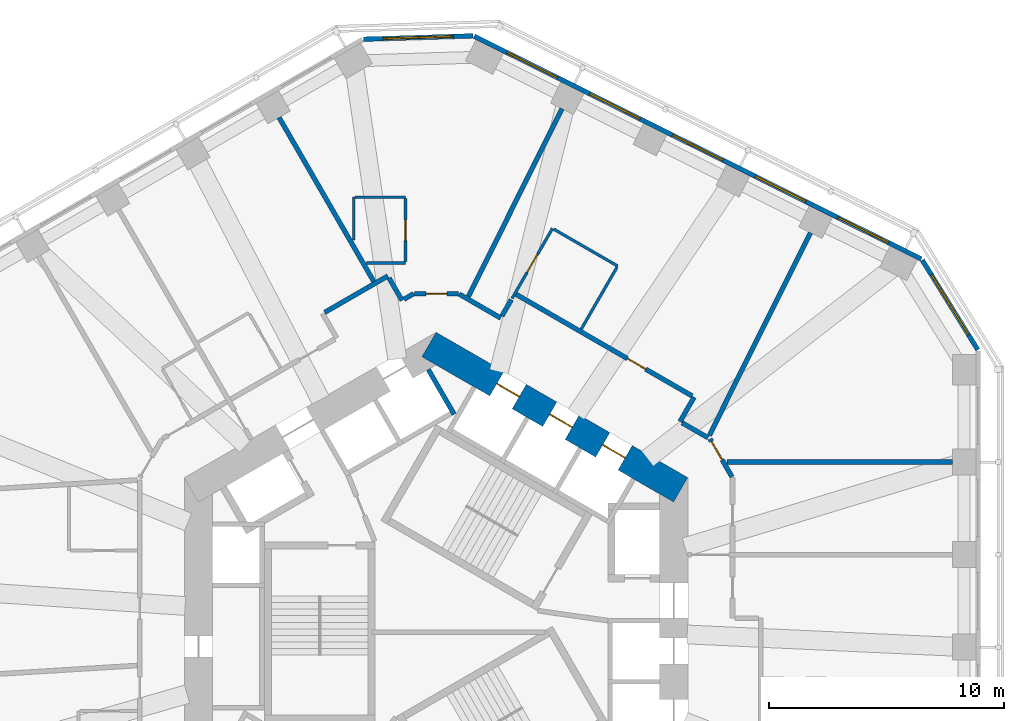
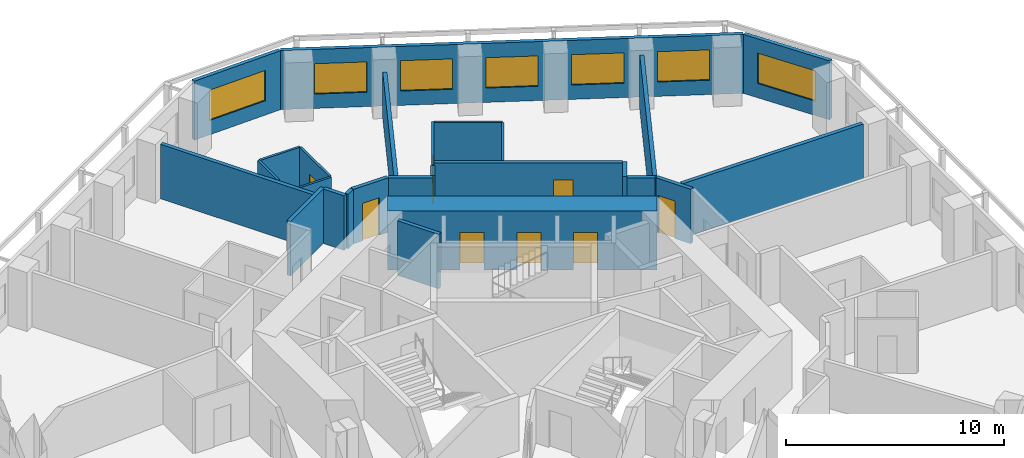
# One storey, part 8 of 11: 26 walls, 8 doors, 7 windows, 15 openings.
"""IFC4 building model written with IfcOpenShell, lengths in metres."""

from ifc_helpers import new_model, si_unit, direction, frame, frame_2d, origin, place, context, subcontext, project, spatial, rectangle, extrude, material, layer, layer_set, type_object, element, fill, save


model = new_model("IFC4")

# Units and contexts
model_context = context("Model", 3, precision=1e-05, world=origin(), true_north=direction((0.0, 1.0)))
body_context = subcontext(model_context, "Body", "Model", "MODEL_VIEW")
ifc_project = project(units=[si_unit("LENGTHUNIT", "METRE"), si_unit("AREAUNIT", "SQUARE_METRE"), si_unit("VOLUMEUNIT", "CUBIC_METRE"), si_unit("PLANEANGLEUNIT", "RADIAN"), si_unit("MASSUNIT", "GRAM", prefix="KILO")], contexts=[model_context])

# Site, building, storey
site_placement = place(None, origin())
site = spatial("IfcSite", under=ifc_project, at=site_placement, CompositionType="ELEMENT")
building_placement = place(site_placement, origin())
building = spatial("IfcBuilding", under=site, at=building_placement, Name="Vanh Sen Convention Tower", CompositionType="ELEMENT")
storey_placement = place(building_placement, frame((0.0, 0.0, 96.800048828125)))
storey = spatial("IfcBuildingStorey", under=building, at=storey_placement, Name="L22", CompositionType="ELEMENT", Elevation=96.800048828125)

# Walls
ifc_material_1 = material(Name="Moisture-resistant gypsum board on steel studs", Category="steel")
ifc_layer_1 = layer(ifc_material_1, 0.1201171875)
ifc_layer_set_1 = layer_set([ifc_layer_1], Name="Moisture-resistant gypsum board on steel studs")
wall_type_1 = type_object("IfcWallType", Name="Bathroom partition 120", PredefinedType="PARTITIONING", material=ifc_layer_set_1)
wall_1_placement = place(storey_placement, frame((-3.5, 16.271484375, 0.0), z_axis=(0.0, 0.0, 1.0), x_axis=(0.0, 1.0, 0.0)))
element("IfcWall", 1, at=wall_1_placement, inside=storey, type_object=wall_type_1, Name="Bathroom partition 120", PredefinedType="PARTITIONING", context=body_context, shape_type="SweptSolid", body=[
    extrude(rectangle(XDim=1.8291015625, YDim=0.1201171875, at=frame_2d((0.91455078125, 0.0))), origin(), (0.0, 0.0, 1.0), 3.050048828125),
])
wall_2_placement = place(storey_placement, frame((-3.43994140625, 18.1005859375, 0.0), z_axis=(0.0, 0.0, 1.0), x_axis=(1.0, 0.0, 0.0)))
element("IfcWall", 2, at=wall_2_placement, inside=storey, type_object=wall_type_1, Name="Bathroom partition 120", PredefinedType="PARTITIONING", context=body_context, shape_type="SweptSolid", body=[
    extrude(rectangle(XDim=2.139892578125, YDim=0.1201171875, at=frame_2d((1.06982421875, 0.0))), origin(), (0.0, 0.0, 1.0), 3.050048828125),
])
wall_3_placement = place(storey_placement, frame((-1.300048828125, 15.30078125, 0.0), z_axis=(0.0, 0.0, 1.0), x_axis=(-1.0, 0.0, 0.0)))
element("IfcWall", 3, at=wall_3_placement, inside=storey, type_object=wall_type_1, Name="Bathroom partition 120", PredefinedType="PARTITIONING", context=body_context, shape_type="SweptSolid", body=[
    extrude(rectangle(XDim=1.6611328125, YDim=0.1201171875, at=frame_2d((0.83056640625, 0.0))), origin(), (0.0, 0.0, 1.0), 3.050048828125),
])

# Wall, opening, door
wall_4_placement = place(storey_placement, frame((-1.300048828125, 18.040771484375, 0.0), z_axis=(0.0, 0.0, 1.0), x_axis=(0.0, -1.0, 0.0)))
wall_4 = element("IfcWall", 4, at=wall_4_placement, inside=storey, type_object=wall_type_1, Name="Bathroom partition 120", PredefinedType="PARTITIONING", context=body_context, shape_type="SweptSolid", body=[
    extrude(rectangle(XDim=2.68017578125, YDim=0.1201171875, at=frame_2d((1.340087890625, 0.0))), origin(), (0.0, 0.0, 1.0), 3.050048828125),
])
opening_1_placement = place(wall_4_placement, frame((0.889892578125, 0.0, 0.0)))
opening_1 = element("IfcOpeningElement", 5, at=opening_1_placement, cuts=wall_4, Name="Opening D22108", PredefinedType="OPENING", context=body_context, shape_type="SweptSolid", body=[
    extrude(rectangle(XDim=0.89990234375, YDim=2.10009765625, at=frame_2d((0.449951171875, 1.050048828125))), frame((0.0, 0.070068359375, 0.0), z_axis=(0.0, -1.0, 0.0), x_axis=(1.0, 0.0, 0.0)), (0.0, 0.0, 1.0), 0.14013671875),
])
ifc_material_2 = material(Name="Laminate door in steel frame", Category="steel")
door_type_1 = type_object("IfcDoorType", Name="En-suite door 900", OperationType="SINGLE_SWING_LEFT", PredefinedType="DOOR", material=ifc_material_2)
door_1_placement = place(opening_1_placement, origin())
door_1 = element("IfcDoor", 6, at=door_1_placement, inside=storey, type_object=door_type_1, Name="En-suite door D22108", OperationType="SINGLE_SWING_LEFT", OverallHeight=2.10009765625, OverallWidth=0.89990234375, PredefinedType="DOOR", context=body_context, shape_type="SweptSolid", body=[
    extrude(rectangle(XDim=0.89990234375, YDim=2.10009765625, at=frame_2d((0.449951171875, 1.050048828125))), frame((0.0, 0.02490234375, 0.0), z_axis=(0.0, -1.0, 0.0), x_axis=(1.0, 0.0, 0.0)), (0.0, 0.0, 1.0), 0.050048828125),
])
fill(opening_1, door_1)

wall_5_placement = place(storey_placement, frame((3.232177734375, 13.800048828125, 0.0), z_axis=(0.0, 0.0, 1.0), x_axis=(0.499993265928, 0.866029291668, 0.0)))
wall_5 = element("IfcWall", 7, at=wall_5_placement, inside=storey, type_object=wall_type_1, Name="Bathroom partition 120", PredefinedType="PARTITIONING", context=body_context, shape_type="SweptSolid", body=[
    extrude(rectangle(XDim=3.43359375, YDim=0.1201171875, at=frame_2d((1.716796875, 0.0))), origin(), (0.0, 0.0, 1.0), 3.050048828125),
])
opening_2_placement = place(wall_5_placement, frame((1.266845703125, 0.0, 0.0)))
opening_2 = element("IfcOpeningElement", 8, at=opening_2_placement, cuts=wall_5, Name="Opening D22106", PredefinedType="OPENING", context=body_context, shape_type="SweptSolid", body=[
    extrude(rectangle(XDim=0.89990234375, YDim=2.10009765625, at=frame_2d((0.449951171875, 1.050048828125))), frame((0.0, 0.070068359375, 0.0), z_axis=(0.0, -1.0, 0.0), x_axis=(1.0, 0.0, 0.0)), (0.0, 0.0, 1.0), 0.14013671875),
])
door_2_placement = place(opening_2_placement, origin())
door_2 = element("IfcDoor", 9, at=door_2_placement, inside=storey, type_object=door_type_1, Name="En-suite door D22106", OperationType="SINGLE_SWING_LEFT", OverallHeight=2.10009765625, OverallWidth=0.89990234375, PredefinedType="DOOR", context=body_context, shape_type="SweptSolid", body=[
    extrude(rectangle(XDim=0.89990234375, YDim=2.10009765625, at=frame_2d((0.449951171875, 1.050048828125))), frame((0.0, 0.02490234375, 0.0), z_axis=(0.0, -1.0, 0.0), x_axis=(1.0, 0.0, 0.0)), (0.0, 0.0, 1.0), 0.050048828125),
])
fill(opening_2, door_2)

# Walls
wall_6_placement = place(storey_placement, frame((5.0009765625, 16.743896484375, 0.0), z_axis=(0.0, 0.0, 1.0), x_axis=(0.866009488468, -0.500027565123, 0.0)))
element("IfcWall", 10, at=wall_6_placement, inside=storey, type_object=wall_type_1, Name="Bathroom partition 120", PredefinedType="PARTITIONING", context=body_context, shape_type="SweptSolid", body=[
    extrude(rectangle(XDim=3.139892578125, YDim=0.1201171875, at=frame_2d((1.56982421875, 0.0))), origin(), (0.0, 0.0, 1.0), 3.050048828125),
])
wall_7_placement = place(storey_placement, frame((7.690185546875, 15.121826171875, 0.0), z_axis=(0.0, 0.0, 1.0), x_axis=(-0.499991248344, -0.866030456496, 0.0)))
element("IfcWall", 11, at=wall_7_placement, inside=storey, type_object=wall_type_1, Name="Bathroom partition 120", PredefinedType="PARTITIONING", context=body_context, shape_type="SweptSolid", body=[
    extrude(rectangle(XDim=3.0400390625, YDim=0.1201171875, at=frame_2d((1.52001953125, 0.0))), origin(), (0.0, 0.0, 1.0), 3.050048828125),
])

# Wall, openings, doors
ifc_material_3 = material(Name="Concrete C80/95", Category="concrete")
ifc_layer_2 = layer(ifc_material_3, 1.199951171875)
ifc_layer_set_2 = layer_set([ifc_layer_2], Name="Concrete C80/95")
wall_type_2 = type_object("IfcWallType", Name="Core outer wall 1200 C80/95", PredefinedType="SHEAR", material=ifc_layer_set_2)
wall_8_placement = place(storey_placement, frame((10.39990234375, 5.657958984375, 0.0), z_axis=(0.0, 0.0, 1.0), x_axis=(-0.866021384402, 0.500006961711, 0.0)))
wall_8 = element("IfcWall", 12, at=wall_8_placement, inside=storey, type_object=wall_type_2, Name="Core wall face NE L22", PredefinedType="SHEAR", context=body_context, shape_type="SweptSolid", body=[
    extrude(rectangle(XDim=12.355224609375, YDim=1.199951171875, at=frame_2d((6.177734375, 0.0))), origin(), (0.0, 0.0, 1.0), 3.300048828125),
])
opening_3_placement = place(wall_8_placement, frame((2.727783203125, 0.0, 0.0)))
opening_3 = element("IfcOpeningElement", 13, at=opening_3_placement, cuts=wall_8, Name="Opening LD-LR3", PredefinedType="OPENING", context=body_context, shape_type="SweptSolid", body=[
    extrude(rectangle(XDim=1.10009765625, YDim=2.10009765625, at=frame_2d((0.550048828125, 1.050048828125))), frame((0.0, 0.60986328125, 0.0), z_axis=(0.0, -1.0, 0.0), x_axis=(1.0, 0.0, 0.0)), (0.0, 0.0, 1.0), 1.219970703125),
])
opening_4_placement = place(wall_8_placement, frame((5.32763671875, 0.0, 0.0)))
opening_4 = element("IfcOpeningElement", 14, at=opening_4_placement, cuts=wall_8, Name="Opening LD-LR4", PredefinedType="OPENING", context=body_context, shape_type="SweptSolid", body=[
    extrude(rectangle(XDim=1.10009765625, YDim=2.10009765625, at=frame_2d((0.550048828125, 1.050048828125))), frame((0.0, 0.60986328125, 0.0), z_axis=(0.0, -1.0, 0.0), x_axis=(1.0, 0.0, 0.0)), (0.0, 0.0, 1.0), 1.219970703125),
])
opening_5_placement = place(wall_8_placement, frame((7.927734375, 0.0, 0.0)))
opening_5 = element("IfcOpeningElement", 15, at=opening_5_placement, cuts=wall_8, Name="Opening LD-LR5", PredefinedType="OPENING", context=body_context, shape_type="SweptSolid", body=[
    extrude(rectangle(XDim=1.10009765625, YDim=2.10009765625, at=frame_2d((0.550048828125, 1.050048828125))), frame((0.0, 0.60986328125, 0.0), z_axis=(0.0, -1.0, 0.0), x_axis=(1.0, 0.0, 0.0)), (0.0, 0.0, 1.0), 1.219970703125),
])
ifc_material_4 = material(Name="Stainless steel", Category="steel")
door_type_2 = type_object("IfcDoorType", Name="Lift landing door 1100", OperationType="DOUBLE_DOOR_SLIDING", PredefinedType="DOOR", material=ifc_material_4)
door_3_placement = place(opening_3_placement, origin())
door_3 = element("IfcDoor", 16, at=door_3_placement, inside=storey, type_object=door_type_2, Name="Lift LR3 landing door LD-LR3", OperationType="DOUBLE_DOOR_SLIDING", OverallHeight=2.10009765625, OverallWidth=1.10009765625, PredefinedType="DOOR", context=body_context, shape_type="SweptSolid", body=[
    extrude(rectangle(XDim=1.10009765625, YDim=2.10009765625, at=frame_2d((0.550048828125, 1.050048828125))), frame((0.0, 0.02490234375, 0.0), z_axis=(0.0, -1.0, 0.0), x_axis=(1.0, 0.0, 0.0)), (0.0, 0.0, 1.0), 0.050048828125),
])
fill(opening_3, door_3)
door_4_placement = place(opening_4_placement, origin())
door_4 = element("IfcDoor", 17, at=door_4_placement, inside=storey, type_object=door_type_2, Name="Lift LR4 landing door LD-LR4", OperationType="DOUBLE_DOOR_SLIDING", OverallHeight=2.10009765625, OverallWidth=1.10009765625, PredefinedType="DOOR", context=body_context, shape_type="SweptSolid", body=[
    extrude(rectangle(XDim=1.10009765625, YDim=2.10009765625, at=frame_2d((0.550048828125, 1.050048828125))), frame((0.0, 0.02490234375, 0.0), z_axis=(0.0, -1.0, 0.0), x_axis=(1.0, 0.0, 0.0)), (0.0, 0.0, 1.0), 0.050048828125),
])
fill(opening_4, door_4)
door_5_placement = place(opening_5_placement, origin())
door_5 = element("IfcDoor", 18, at=door_5_placement, inside=storey, type_object=door_type_2, Name="Lift LR5 landing door LD-LR5", OperationType="DOUBLE_DOOR_SLIDING", OverallHeight=2.10009765625, OverallWidth=1.10009765625, PredefinedType="DOOR", context=body_context, shape_type="SweptSolid", body=[
    extrude(rectangle(XDim=1.10009765625, YDim=2.10009765625, at=frame_2d((0.550048828125, 1.050048828125))), frame((0.0, 0.02490234375, 0.0), z_axis=(0.0, -1.0, 0.0), x_axis=(1.0, 0.0, 0.0)), (0.0, 0.0, 1.0), 0.050048828125),
])
fill(opening_5, door_5)

# Walls
ifc_material_5 = material(Name="Gypsum board on steel studs with mineral wool", Category="steel")
ifc_layer_3 = layer(ifc_material_5, 0.199951171875)
ifc_layer_set_3 = layer_set([ifc_layer_3], Name="Gypsum board on steel studs with mineral wool")
wall_type_3 = type_object("IfcWallType", Name="Corridor partition wall 200", PredefinedType="PARTITIONING", material=ifc_layer_set_3)
wall_9_placement = place(storey_placement, frame((-2.0498046875, 14.75244140625, 0.0), z_axis=(0.0, 0.0, 1.0), x_axis=(-0.866030936828, -0.499990416364, 0.0)))
element("IfcWall", 19, at=wall_9_placement, inside=storey, type_object=wall_type_3, Name="Corridor partition wall 200", PredefinedType="PARTITIONING", context=body_context, shape_type="SweptSolid", body=[
    extrude(rectangle(XDim=3.10205078125, YDim=0.199951171875, at=frame_2d((1.551025390625, 0.0))), origin(), (0.0, 0.0, 1.0), 3.050048828125),
])
wall_10_placement = place(storey_placement, frame((-1.449462890625, 13.71240234375, 0.0), z_axis=(0.0, 0.0, 1.0), x_axis=(-0.499978356969, 0.866037899034, 0.0)))
element("IfcWall", 20, at=wall_10_placement, inside=storey, type_object=wall_type_3, Name="Corridor partition wall 200", PredefinedType="PARTITIONING", context=body_context, shape_type="SweptSolid", body=[
    extrude(rectangle(XDim=1.10107421875, YDim=0.199951171875, at=frame_2d((0.550537109375, 0.0))), origin(), (0.0, 0.0, 1.0), 3.050048828125),
])
wall_11_placement = place(storey_placement, frame((-0.949951171875, 14.000732421875, 0.0), z_axis=(0.0, 0.0, 1.0), x_axis=(-0.86609177584, -0.499885022602, 0.0)))
element("IfcWall", 21, at=wall_11_placement, inside=storey, type_object=wall_type_3, Name="Corridor partition wall 200", PredefinedType="PARTITIONING", context=body_context, shape_type="SweptSolid", body=[
    extrude(rectangle(XDim=0.4765625, YDim=0.199951171875, at=frame_2d((0.23828125, 0.0))), origin(), (0.0, 0.0, 1.0), 3.050048828125),
])

# Wall, opening, door
wall_12_placement = place(storey_placement, frame((0.949951171875, 14.000732421875, 0.0), z_axis=(0.0, 0.0, 1.0), x_axis=(-1.0, 0.0, 0.0)))
wall_12 = element("IfcWall", 22, at=wall_12_placement, inside=storey, type_object=wall_type_3, Name="Corridor partition wall 200", PredefinedType="PARTITIONING", context=body_context, shape_type="SweptSolid", body=[
    extrude(rectangle(XDim=1.85986328125, YDim=0.199951171875, at=frame_2d((0.929931640625, 0.0))), origin(), (0.0, 0.0, 1.0), 3.050048828125),
])
opening_6_placement = place(wall_12_placement, frame((0.47998046875, 0.0, 0.0)))
opening_6 = element("IfcOpeningElement", 23, at=opening_6_placement, cuts=wall_12, Name="Opening D22107", PredefinedType="OPENING", context=body_context, shape_type="SweptSolid", body=[
    extrude(rectangle(XDim=0.89990234375, YDim=2.10009765625, at=frame_2d((0.449951171875, 1.050048828125))), frame((0.0, 0.10986328125, 0.0), z_axis=(0.0, -1.0, 0.0), x_axis=(1.0, 0.0, 0.0)), (0.0, 0.0, 1.0), 0.219970703125),
])
ifc_material_6 = material(Name="Timber fire door in steel frame", Category="steel")
door_type_3 = type_object("IfcDoorType", Name="Guest room door 900", OperationType="SINGLE_SWING_LEFT", PredefinedType="DOOR", material=ifc_material_6)
door_6_placement = place(opening_6_placement, origin())
door_6 = element("IfcDoor", 24, at=door_6_placement, inside=storey, type_object=door_type_3, Name="Hotel guest room door D22107", OperationType="SINGLE_SWING_LEFT", OverallHeight=2.10009765625, OverallWidth=0.89990234375, PredefinedType="DOOR", context=body_context, shape_type="SweptSolid", body=[
    extrude(rectangle(XDim=0.89990234375, YDim=2.10009765625, at=frame_2d((0.449951171875, 1.050048828125))), frame((0.0, 0.02490234375, 0.0), z_axis=(0.0, -1.0, 0.0), x_axis=(1.0, 0.0, 0.0)), (0.0, 0.0, 1.0), 0.050048828125),
])
fill(opening_6, door_6)

# Walls
wall_13_placement = place(storey_placement, frame((2.748291015625, 12.96240234375, 0.0), z_axis=(0.0, 0.0, 1.0), x_axis=(-0.866013897511, 0.50001992892, 0.0)))
element("IfcWall", 25, at=wall_13_placement, inside=storey, type_object=wall_type_3, Name="Corridor partition wall 200", PredefinedType="PARTITIONING", context=body_context, shape_type="SweptSolid", body=[
    extrude(rectangle(XDim=2.03662109375, YDim=0.199951171875, at=frame_2d((1.018310546875, 0.0))), origin(), (0.0, 0.0, 1.0), 3.050048828125),
])
wall_14_placement = place(storey_placement, frame((3.198974609375, 13.74267578125, 0.0), z_axis=(0.0, 0.0, 1.0), x_axis=(-0.500170954823, -0.865926680471, 0.0)))
element("IfcWall", 26, at=wall_14_placement, inside=storey, type_object=wall_type_3, Name="Corridor partition wall 200", PredefinedType="PARTITIONING", context=body_context, shape_type="SweptSolid", body=[
    extrude(rectangle(XDim=0.801025390625, YDim=0.199951171875, at=frame_2d((0.400390625, 0.0))), origin(), (0.0, 0.0, 1.0), 3.050048828125),
])
wall_15_placement = place(storey_placement, frame((10.37109375, 8.561279296875, 0.0), z_axis=(0.0, 0.0, 1.0), x_axis=(0.499986357472, 0.866033280158, 0.0)))
element("IfcWall", 27, at=wall_15_placement, inside=storey, type_object=wall_type_3, Name="Corridor partition wall 200", PredefinedType="PARTITIONING", context=body_context, shape_type="SweptSolid", body=[
    extrude(rectangle(XDim=1.201171875, YDim=0.199951171875, at=frame_2d((0.6005859375, 0.0))), origin(), (0.0, 0.0, 1.0), 3.050048828125),
])

# Wall, opening, door
wall_16_placement = place(storey_placement, frame((10.885009765625, 9.651611328125, 0.0), z_axis=(0.0, 0.0, 1.0), x_axis=(-0.866033630405, 0.499985750804, 0.0)))
wall_16 = element("IfcWall", 28, at=wall_16_placement, inside=storey, type_object=wall_type_3, Name="Corridor partition wall 200", PredefinedType="PARTITIONING", context=body_context, shape_type="SweptSolid", body=[
    extrude(rectangle(XDim=8.641845703125, YDim=0.199951171875, at=frame_2d((4.32080078125, 0.0))), origin(), (0.0, 0.0, 1.0), 3.050048828125),
])
opening_7_placement = place(wall_16_placement, frame((2.27587890625, 0.0, 0.0)))
opening_7 = element("IfcOpeningElement", 29, at=opening_7_placement, cuts=wall_16, Name="Opening D22105", PredefinedType="OPENING", context=body_context, shape_type="SweptSolid", body=[
    extrude(rectangle(XDim=0.89990234375, YDim=2.10009765625, at=frame_2d((0.449951171875, 1.050048828125))), frame((0.0, 0.10986328125, 0.0), z_axis=(0.0, -1.0, 0.0), x_axis=(1.0, 0.0, 0.0)), (0.0, 0.0, 1.0), 0.219970703125),
])
door_7_placement = place(opening_7_placement, origin())
door_7 = element("IfcDoor", 30, at=door_7_placement, inside=storey, type_object=door_type_3, Name="Hotel guest room door D22105", OperationType="SINGLE_SWING_LEFT", OverallHeight=2.10009765625, OverallWidth=0.89990234375, PredefinedType="DOOR", context=body_context, shape_type="SweptSolid", body=[
    extrude(rectangle(XDim=0.89990234375, YDim=2.10009765625, at=frame_2d((0.449951171875, 1.050048828125))), frame((0.0, 0.02490234375, 0.0), z_axis=(0.0, -1.0, 0.0), x_axis=(1.0, 0.0, 0.0)), (0.0, 0.0, 1.0), 0.050048828125),
])
fill(opening_7, door_7)

# Wall
wall_17_placement = place(storey_placement, frame((11.56640625, 7.871337890625, 0.0), z_axis=(0.0, 0.0, 1.0), x_axis=(-0.866004557827, 0.500036104519, 0.0)))
element("IfcWall", 31, at=wall_17_placement, inside=storey, type_object=wall_type_3, Name="Corridor partition wall 200", PredefinedType="PARTITIONING", context=body_context, shape_type="SweptSolid", body=[
    extrude(rectangle(XDim=1.2802734375, YDim=0.199951171875, at=frame_2d((0.64013671875, 0.0))), origin(), (0.0, 0.0, 1.0), 3.050048828125),
])

# Wall, opening, door
wall_18_placement = place(storey_placement, frame((12.580078125, 6.212158203125, 0.0), z_axis=(0.0, 0.0, 1.0), x_axis=(-0.500063286585, 0.865988862174, 0.0)))
wall_18 = element("IfcWall", 32, at=wall_18_placement, inside=storey, type_object=wall_type_3, Name="Corridor partition wall 200", PredefinedType="PARTITIONING", context=body_context, shape_type="SweptSolid", body=[
    extrude(rectangle(XDim=1.860107421875, YDim=0.199951171875, at=frame_2d((0.93017578125, 0.0))), origin(), (0.0, 0.0, 1.0), 3.050048828125),
])
opening_8_placement = place(wall_18_placement, frame((0.841796875, 0.0, 0.0)))
opening_8 = element("IfcOpeningElement", 33, at=opening_8_placement, cuts=wall_18, Name="Opening D22104", PredefinedType="OPENING", context=body_context, shape_type="SweptSolid", body=[
    extrude(rectangle(XDim=0.89990234375, YDim=2.10009765625, at=frame_2d((0.449951171875, 1.050048828125))), frame((0.0, 0.10986328125, 0.0), z_axis=(0.0, -1.0, 0.0), x_axis=(1.0, 0.0, 0.0)), (0.0, 0.0, 1.0), 0.219970703125),
])
door_type_4 = type_object("IfcDoorType", Name="Floor room door 900", OperationType="SINGLE_SWING_LEFT", PredefinedType="DOOR", material=ifc_material_6)
door_8_placement = place(opening_8_placement, origin())
door_8 = element("IfcDoor", 34, at=door_8_placement, inside=storey, type_object=door_type_4, Name="Meeting and amenity room door D22104", OperationType="SINGLE_SWING_LEFT", OverallHeight=2.10009765625, OverallWidth=0.89990234375, PredefinedType="DOOR", context=body_context, shape_type="SweptSolid", body=[
    extrude(rectangle(XDim=0.89990234375, YDim=2.10009765625, at=frame_2d((0.449951171875, 1.050048828125))), frame((0.0, 0.02490234375, 0.0), z_axis=(0.0, -1.0, 0.0), x_axis=(1.0, 0.0, 0.0)), (0.0, 0.0, 1.0), 0.050048828125),
])
fill(opening_8, door_8)

# Wall, opening, window
ifc_material_7 = material(Name="Insulated lightweight infill wall")
ifc_layer_4 = layer(ifc_material_7, 0.199951171875)
ifc_layer_set_4 = layer_set([ifc_layer_4], Name="Insulated lightweight infill wall")
wall_type_4 = type_object("IfcWallType", Name="External wall 200", PredefinedType="STANDARD", material=ifc_layer_set_4)
wall_19_placement = place(storey_placement, frame((23.034912109375, 11.612060546875, 0.0), z_axis=(0.0, 0.0, 1.0), x_axis=(-0.526160091227, 0.850385535155, 0.0)))
wall_19 = element("IfcWall", 35, at=wall_19_placement, inside=storey, type_object=wall_type_4, Name="External wall CH1 L22", PredefinedType="STANDARD", context=body_context, shape_type="SweptSolid", body=[
    extrude(rectangle(XDim=4.493896484375, YDim=0.199951171875, at=frame_2d((2.2470703125, 0.0))), origin(), (0.0, 0.0, 1.0), 3.300048828125),
])
opening_9_placement = place(wall_19_placement, frame((0.746826171875, 0.0, 0.800048828125)))
opening_9 = element("IfcOpeningElement", 36, at=opening_9_placement, cuts=wall_19, Name="Opening WH2-CH11", PredefinedType="OPENING", context=body_context, shape_type="SweptSolid", body=[
    extrude(rectangle(XDim=3.0, YDim=1.699951171875, at=frame_2d((1.5, 0.85009765625))), frame((0.0, 0.10986328125, 0.0), z_axis=(0.0, -1.0, 0.0), x_axis=(1.0, 0.0, 0.0)), (0.0, 0.0, 1.0), 0.219970703125),
])
ifc_material_8 = material(Name="Aluminium frame with clear low-emissivity glass", Category="aluminium")
window_type_1 = type_object("IfcWindowType", Name="Hotel window 3000 x 1700", PartitioningType="SINGLE_PANEL", PredefinedType="WINDOW", material=ifc_material_8)
window_1_placement = place(opening_9_placement, origin())
window_1 = element("IfcWindow", 37, at=window_1_placement, inside=storey, type_object=window_type_1, Name="Window WH2-CH11", OverallHeight=1.699951171875, OverallWidth=3.0, PartitioningType="SINGLE_PANEL", PredefinedType="WINDOW", context=body_context, shape_type="SweptSolid", body=[
    extrude(rectangle(XDim=3.0, YDim=1.699951171875, at=frame_2d((1.5, 0.85009765625))), frame((0.0, 0.030029296875, 0.0), z_axis=(0.0, -1.0, 0.0), x_axis=(1.0, 0.0, 0.0)), (0.0, 0.0, 1.0), 0.06005859375),
])
fill(opening_9, window_1)

# Wall, openings, windows
wall_20_placement = place(storey_placement, frame((20.6298828125, 15.470458984375, 0.0), z_axis=(0.0, 0.0, 1.0), x_axis=(-0.894934518609, 0.446197498203, 0.0)))
wall_20 = element("IfcWall", 38, at=wall_20_placement, inside=storey, type_object=wall_type_4, Name="External wall NE L22", PredefinedType="STANDARD", context=body_context, shape_type="SweptSolid", body=[
    extrude(rectangle(XDim=21.24609375, YDim=0.199951171875, at=frame_2d((10.623046875, 0.0))), origin(), (0.0, 0.0, 1.0), 3.300048828125),
])
opening_10_placement = place(wall_20_placement, frame((1.552978515625, 0.0, 0.800048828125)))
opening_10 = element("IfcOpeningElement", 39, at=opening_10_placement, cuts=wall_20, Name="Opening WH1-NE1", PredefinedType="OPENING", context=body_context, shape_type="SweptSolid", body=[
    extrude(rectangle(XDim=2.39990234375, YDim=1.699951171875, at=frame_2d((1.199951171875, 0.85009765625))), frame((0.0, 0.10986328125, 0.0), z_axis=(0.0, -1.0, 0.0), x_axis=(1.0, 0.0, 0.0)), (0.0, 0.0, 1.0), 0.219970703125),
])
opening_11_placement = place(wall_20_placement, frame((5.48779296875, 0.0, 0.800048828125)))
opening_11 = element("IfcOpeningElement", 40, at=opening_11_placement, cuts=wall_20, Name="Opening WH1-NE2", PredefinedType="OPENING", context=body_context, shape_type="SweptSolid", body=[
    extrude(rectangle(XDim=2.39990234375, YDim=1.699951171875, at=frame_2d((1.199951171875, 0.85009765625))), frame((0.0, 0.10986328125, 0.0), z_axis=(0.0, -1.0, 0.0), x_axis=(1.0, 0.0, 0.0)), (0.0, 0.0, 1.0), 0.219970703125),
])
opening_12_placement = place(wall_20_placement, frame((9.42236328125, 0.0, 0.800048828125)))
opening_12 = element("IfcOpeningElement", 41, at=opening_12_placement, cuts=wall_20, Name="Opening WH1-NE3", PredefinedType="OPENING", context=body_context, shape_type="SweptSolid", body=[
    extrude(rectangle(XDim=2.39990234375, YDim=1.699951171875, at=frame_2d((1.199951171875, 0.85009765625))), frame((0.0, 0.10986328125, 0.0), z_axis=(0.0, -1.0, 0.0), x_axis=(1.0, 0.0, 0.0)), (0.0, 0.0, 1.0), 0.219970703125),
])
opening_13_placement = place(wall_20_placement, frame((13.35693359375, 0.0, 0.800048828125)))
opening_13 = element("IfcOpeningElement", 42, at=opening_13_placement, cuts=wall_20, Name="Opening WH1-NE4", PredefinedType="OPENING", context=body_context, shape_type="SweptSolid", body=[
    extrude(rectangle(XDim=2.39990234375, YDim=1.699951171875, at=frame_2d((1.199951171875, 0.85009765625))), frame((0.0, 0.10986328125, 0.0), z_axis=(0.0, -1.0, 0.0), x_axis=(1.0, 0.0, 0.0)), (0.0, 0.0, 1.0), 0.219970703125),
])
opening_14_placement = place(wall_20_placement, frame((17.29150390625, 0.0, 0.800048828125)))
opening_14 = element("IfcOpeningElement", 43, at=opening_14_placement, cuts=wall_20, Name="Opening WH1-NE5", PredefinedType="OPENING", context=body_context, shape_type="SweptSolid", body=[
    extrude(rectangle(XDim=2.39990234375, YDim=1.699951171875, at=frame_2d((1.199951171875, 0.85009765625))), frame((0.0, 0.10986328125, 0.0), z_axis=(0.0, -1.0, 0.0), x_axis=(1.0, 0.0, 0.0)), (0.0, 0.0, 1.0), 0.219970703125),
])
window_type_2 = type_object("IfcWindowType", Name="Hotel window 2400 x 1700", PartitioningType="SINGLE_PANEL", PredefinedType="WINDOW", material=ifc_material_8)
window_2_placement = place(opening_10_placement, origin())
window_2 = element("IfcWindow", 44, at=window_2_placement, inside=storey, type_object=window_type_2, Name="Window WH1-NE1", OverallHeight=1.699951171875, OverallWidth=2.39990234375, PartitioningType="SINGLE_PANEL", PredefinedType="WINDOW", context=body_context, shape_type="SweptSolid", body=[
    extrude(rectangle(XDim=2.39990234375, YDim=1.699951171875, at=frame_2d((1.199951171875, 0.85009765625))), frame((0.0, 0.030029296875, 0.0), z_axis=(0.0, -1.0, 0.0), x_axis=(1.0, 0.0, 0.0)), (0.0, 0.0, 1.0), 0.06005859375),
])
fill(opening_10, window_2)
window_3_placement = place(opening_11_placement, origin())
window_3 = element("IfcWindow", 45, at=window_3_placement, inside=storey, type_object=window_type_2, Name="Window WH1-NE2", OverallHeight=1.699951171875, OverallWidth=2.39990234375, PartitioningType="SINGLE_PANEL", PredefinedType="WINDOW", context=body_context, shape_type="SweptSolid", body=[
    extrude(rectangle(XDim=2.39990234375, YDim=1.699951171875, at=frame_2d((1.199951171875, 0.85009765625))), frame((0.0, 0.030029296875, 0.0), z_axis=(0.0, -1.0, 0.0), x_axis=(1.0, 0.0, 0.0)), (0.0, 0.0, 1.0), 0.06005859375),
])
fill(opening_11, window_3)
window_4_placement = place(opening_12_placement, origin())
window_4 = element("IfcWindow", 46, at=window_4_placement, inside=storey, type_object=window_type_2, Name="Window WH1-NE3", OverallHeight=1.699951171875, OverallWidth=2.39990234375, PartitioningType="SINGLE_PANEL", PredefinedType="WINDOW", context=body_context, shape_type="SweptSolid", body=[
    extrude(rectangle(XDim=2.39990234375, YDim=1.699951171875, at=frame_2d((1.199951171875, 0.85009765625))), frame((0.0, 0.030029296875, 0.0), z_axis=(0.0, -1.0, 0.0), x_axis=(1.0, 0.0, 0.0)), (0.0, 0.0, 1.0), 0.06005859375),
])
fill(opening_12, window_4)
window_5_placement = place(opening_13_placement, origin())
window_5 = element("IfcWindow", 47, at=window_5_placement, inside=storey, type_object=window_type_2, Name="Window WH1-NE4", OverallHeight=1.699951171875, OverallWidth=2.39990234375, PartitioningType="SINGLE_PANEL", PredefinedType="WINDOW", context=body_context, shape_type="SweptSolid", body=[
    extrude(rectangle(XDim=2.39990234375, YDim=1.699951171875, at=frame_2d((1.199951171875, 0.85009765625))), frame((0.0, 0.030029296875, 0.0), z_axis=(0.0, -1.0, 0.0), x_axis=(1.0, 0.0, 0.0)), (0.0, 0.0, 1.0), 0.06005859375),
])
fill(opening_13, window_5)
window_6_placement = place(opening_14_placement, origin())
window_6 = element("IfcWindow", 48, at=window_6_placement, inside=storey, type_object=window_type_2, Name="Window WH1-NE5", OverallHeight=1.699951171875, OverallWidth=2.39990234375, PartitioningType="SINGLE_PANEL", PredefinedType="WINDOW", context=body_context, shape_type="SweptSolid", body=[
    extrude(rectangle(XDim=2.39990234375, YDim=1.699951171875, at=frame_2d((1.199951171875, 0.85009765625))), frame((0.0, 0.030029296875, 0.0), z_axis=(0.0, -1.0, 0.0), x_axis=(1.0, 0.0, 0.0)), (0.0, 0.0, 1.0), 0.06005859375),
])
fill(opening_14, window_6)

# Wall, opening, window
wall_21_placement = place(storey_placement, frame((1.568359375, 24.9609375, 0.0), z_axis=(0.0, 0.0, 1.0), x_axis=(-0.999533359013, -0.030546099927, 0.0)))
wall_21 = element("IfcWall", 49, at=wall_21_placement, inside=storey, type_object=wall_type_4, Name="External wall CH2 L22", PredefinedType="STANDARD", context=body_context, shape_type="SweptSolid", body=[
    extrude(rectangle(XDim=4.65966796875, YDim=0.199951171875, at=frame_2d((2.329833984375, 0.0))), origin(), (0.0, 0.0, 1.0), 3.300048828125),
])
opening_15_placement = place(wall_21_placement, frame((0.829833984375, 0.0, 0.800048828125)))
opening_15 = element("IfcOpeningElement", 50, at=opening_15_placement, cuts=wall_21, Name="Opening WH2-CH21", PredefinedType="OPENING", context=body_context, shape_type="SweptSolid", body=[
    extrude(rectangle(XDim=3.0, YDim=1.699951171875, at=frame_2d((1.5, 0.85009765625))), frame((0.0, 0.10986328125, 0.0), z_axis=(0.0, -1.0, 0.0), x_axis=(1.0, 0.0, 0.0)), (0.0, 0.0, 1.0), 0.219970703125),
])
window_7_placement = place(opening_15_placement, origin())
window_7 = element("IfcWindow", 51, at=window_7_placement, inside=storey, type_object=window_type_1, Name="Window WH2-CH21", OverallHeight=1.699951171875, OverallWidth=3.0, PartitioningType="SINGLE_PANEL", PredefinedType="WINDOW", context=body_context, shape_type="SweptSolid", body=[
    extrude(rectangle(XDim=3.0, YDim=1.699951171875, at=frame_2d((1.5, 0.85009765625))), frame((0.0, 0.030029296875, 0.0), z_axis=(0.0, -1.0, 0.0), x_axis=(1.0, 0.0, 0.0)), (0.0, 0.0, 1.0), 0.06005859375),
])
fill(opening_15, window_7)

# Walls
ifc_layer_5 = layer(ifc_material_5, 0.199951171875)
ifc_layer_set_5 = layer_set([ifc_layer_5], Name="Gypsum board on steel studs with mineral wool")
wall_type_5 = type_object("IfcWallType", Name="Hotel party wall 200", PredefinedType="PARTITIONING", material=ifc_layer_set_5)
wall_22_placement = place(storey_placement, frame((-6.675537109375, 21.49169921875, 0.0), z_axis=(0.0, 0.0, 1.0), x_axis=(0.500011263043, -0.866018900966, 0.0)))
element("IfcWall", 52, at=wall_22_placement, inside=storey, type_object=wall_type_5, Name="Hotel party wall 200", PredefinedType="PARTITIONING", context=body_context, shape_type="SweptSolid", body=[
    extrude(rectangle(XDim=8.049072265625, YDim=0.199951171875, at=frame_2d((4.0244140625, 0.0))), origin(), (0.0, 0.0, 1.0), 3.050048828125),
])
wall_23_placement = place(storey_placement, frame((5.35107421875, 21.859130859375, 0.0), z_axis=(0.0, 0.0, 1.0), x_axis=(-0.446205309328, -0.894930624086, 0.0)))
element("IfcWall", 53, at=wall_23_placement, inside=storey, type_object=wall_type_5, Name="Hotel party wall 200", PredefinedType="PARTITIONING", context=body_context, shape_type="SweptSolid", body=[
    extrude(rectangle(XDim=8.9130859375, YDim=0.199951171875, at=frame_2d((4.45654296875, 0.0))), origin(), (0.0, 0.0, 1.0), 2.599853515625),
])
wall_24_placement = place(storey_placement, frame((15.91455078125, 16.59228515625, 0.0), z_axis=(0.0, 0.0, 1.0), x_axis=(-0.446199736347, -0.894933402709, 0.0)))
element("IfcWall", 54, at=wall_24_placement, inside=storey, type_object=wall_type_5, Name="Hotel party wall 200", PredefinedType="PARTITIONING", context=body_context, shape_type="SweptSolid", body=[
    extrude(rectangle(XDim=9.634765625, YDim=0.199951171875, at=frame_2d((4.8173828125, 0.0))), origin(), (0.0, 0.0, 1.0), 3.050048828125),
])
wall_25_placement = place(storey_placement, frame((21.949951171875, 6.839111328125, 0.0), z_axis=(0.0, 0.0, 1.0), x_axis=(-1.0, 0.0, 0.0)))
element("IfcWall", 55, at=wall_25_placement, inside=storey, type_object=wall_type_5, Name="Hotel party wall 200", PredefinedType="PARTITIONING", context=body_context, shape_type="SweptSolid", body=[
    extrude(rectangle(XDim=9.57177734375, YDim=0.199951171875, at=frame_2d((4.785888671875, 0.0))), origin(), (0.0, 0.0, 1.0), 3.050048828125),
])
ifc_material_9 = material(Name="Concrete C40/50", Category="concrete")
ifc_layer_6 = layer(ifc_material_9, 0.199951171875)
ifc_layer_set_6 = layer_set([ifc_layer_6], Name="Concrete C40/50")
wall_type_6 = type_object("IfcWallType", Name="Lift shaft wall 200", PredefinedType="PARTITIONING", material=ifc_layer_set_6)
wall_26_placement = place(storey_placement, frame((0.7666015625, 8.8720703125, 0.0), z_axis=(0.0, 0.0, 1.0), x_axis=(-0.499994660107, 0.866028486751, 0.0)))
element("IfcWall", 56, at=wall_26_placement, inside=storey, type_object=wall_type_6, Name="Lift shaft wall L22", PredefinedType="PARTITIONING", context=body_context, shape_type="SweptSolid", body=[
    extrude(rectangle(XDim=2.19970703125, YDim=0.199951171875, at=frame_2d((1.099853515625, 0.0))), origin(), (0.0, 0.0, 1.0), 3.050048828125),
])

save(model, "model.ifc")
